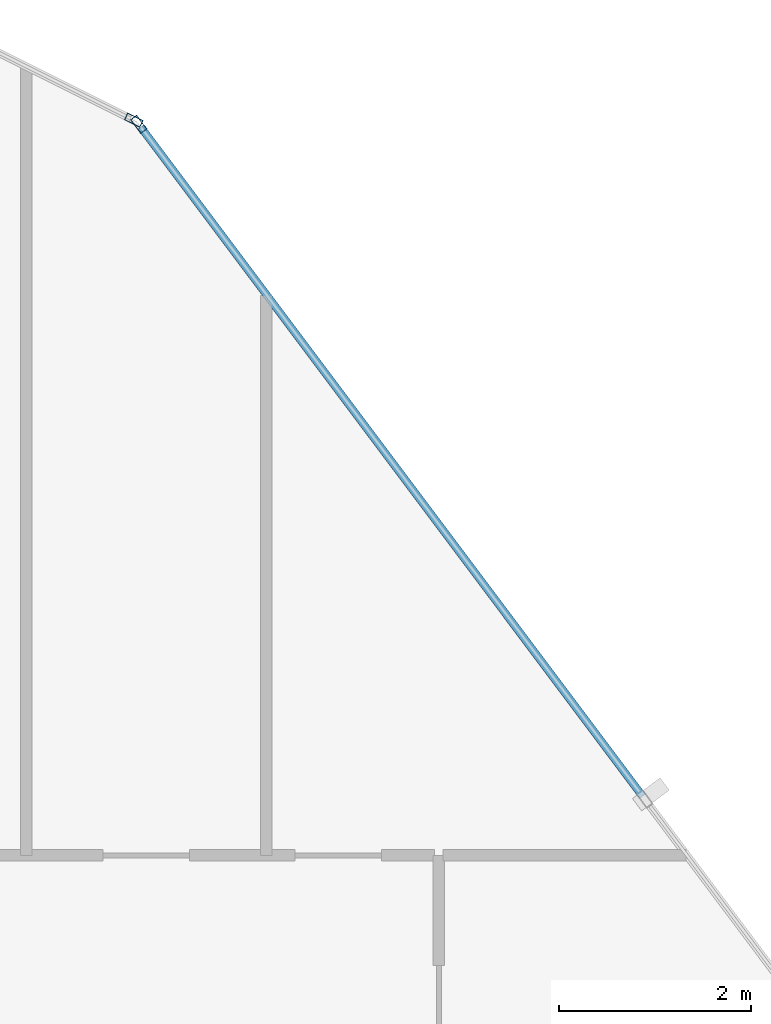
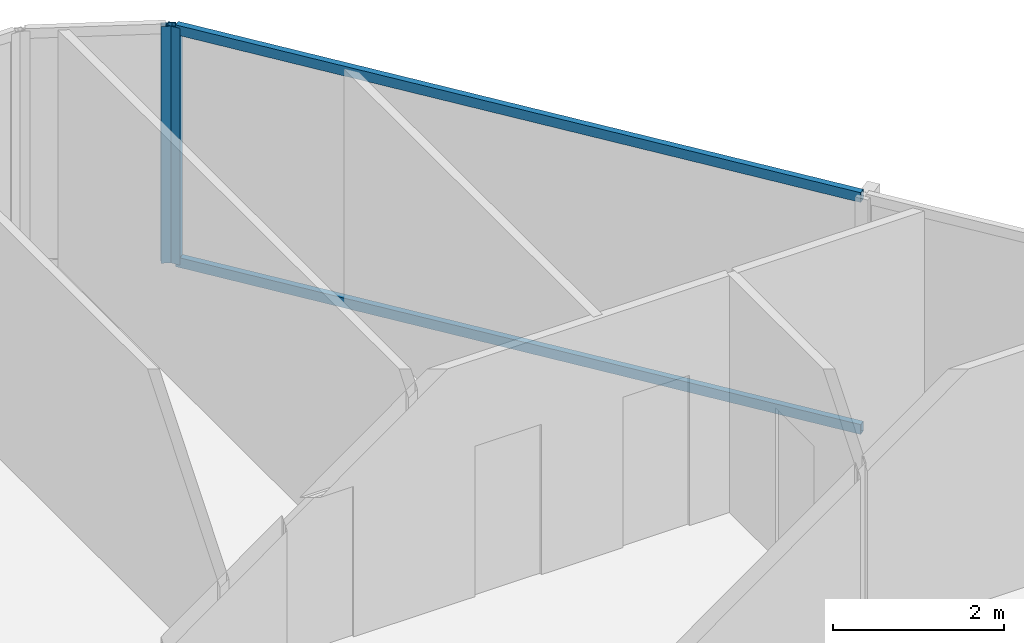
# One storey, part 22 of 31: 4 members, 2 elements without a shape of their own.
"""IFC4 building model written with IfcOpenShell, lengths in metres."""

from ifc_helpers import new_model, si_unit, direction, frame, origin, origin_2d, place, context, subcontext, project, spatial, hollow_rectangle, extrude, material, layer, layer_set, material_profile, profile_set, type_object, element, aggregate, save


model = new_model("IFC4")

# Units and contexts
model_context = context("Model", 3, precision=1e-05, world=origin(), true_north=direction((0.0, 1.0)))
body_context = subcontext(model_context, "Body", "Model", "MODEL_VIEW")
ifc_project = project(units=[si_unit("LENGTHUNIT", "METRE"), si_unit("AREAUNIT", "SQUARE_METRE"), si_unit("VOLUMEUNIT", "CUBIC_METRE"), si_unit("PLANEANGLEUNIT", "RADIAN"), si_unit("MASSUNIT", "GRAM", prefix="KILO")], contexts=[model_context])

# Site, building, storey
site_placement = place(None, origin())
site = spatial("IfcSite", under=ifc_project, at=site_placement, CompositionType="ELEMENT")
building_placement = place(site_placement, origin())
building = spatial("IfcBuilding", under=site, at=building_placement, Name="Keshet Zoharim Tower", CompositionType="ELEMENT")
storey_placement = place(building_placement, frame((0.0, 0.0, 148.300048828125)))
storey = spatial("IfcBuildingStorey", under=building, at=storey_placement, Name="L36", CompositionType="ELEMENT", Elevation=148.300048828125)

# Curtain wall, member
ifc_material = material(Name="Aluminium 6063-T6", Category="aluminium")
ifc_layer = layer(ifc_material, 0.159912109375)
ifc_layer_set = layer_set([ifc_layer], Name="Aluminium 6063-T6")
curtain_wall_type = type_object("IfcCurtainWallType", Name="CW-SYS-03", PredefinedType="NOTDEFINED", material=ifc_layer_set)
curtain_wall_1_placement = place(storey_placement, origin())
curtain_wall_1 = element("IfcCurtainWall", 1, at=curtain_wall_1_placement, inside=storey, type_object=curtain_wall_type, Name="L36 Unitised Curtain Wall 14", PredefinedType="NOTDEFINED")
ifc_material_profile_1 = material_profile(ifc_material, hollow_rectangle(XDim=0.080078125, YDim=0.179931640625, WallThickness=0.00439453125, at=origin_2d()), Name="MUL-80x180")
ifc_profile_set_1 = profile_set([ifc_material_profile_1], Name="Aluminium 6063-T6")
member_type_1 = type_object("IfcMemberType", Name="CWM-M18", PredefinedType="MULLION", material=ifc_profile_set_1)
member_1_placement = place(storey_placement, frame((51.568603515625, 53.11572265625, 0.0), z_axis=(0.0, 0.0, 1.0), x_axis=(0.447213595499, 0.894427191001, 0.0)))
member_1 = element("IfcMember", 2, at=member_1_placement, type_object=member_type_1, Name="CW-03 mullion 2", PredefinedType="MULLION", context=body_context, shape_type="SweptSolid", body=[
    extrude(hollow_rectangle(XDim=0.080078125, YDim=0.179931640625, WallThickness=0.00439453125, at=origin_2d()), origin(), (0.0, 0.0, 1.0), 3.385009765625),
])
aggregate(curtain_wall_1, [member_1])

# Curtain wall, members
curtain_wall_2_placement = place(storey_placement, origin())
curtain_wall_2 = element("IfcCurtainWall", 3, at=curtain_wall_2_placement, inside=storey, type_object=curtain_wall_type, Name="L36 Unitised Curtain Wall 15", PredefinedType="NOTDEFINED")
member_2_placement = place(storey_placement, frame((51.62109375, 53.072021484375, 0.0), z_axis=(0.0, 0.0, 1.0), x_axis=(0.799999999998, 0.600000000002, 0.0)))
member_2 = element("IfcMember", 4, at=member_2_placement, type_object=member_type_1, Name="CW-03 mullion 1", PredefinedType="MULLION", context=body_context, shape_type="SweptSolid", body=[
    extrude(hollow_rectangle(XDim=0.080078125, YDim=0.179931640625, WallThickness=0.00439453125, at=origin_2d()), origin(), (0.0, 0.0, 1.0), 3.385009765625),
])
ifc_material_profile_2 = material_profile(ifc_material, hollow_rectangle(XDim=0.080078125, YDim=0.139892578125, WallThickness=0.00390625, at=origin_2d()), Name="TRN-80x140")
ifc_profile_set_2 = profile_set([ifc_material_profile_2], Name="Aluminium 6063-T6")
member_type_2 = type_object("IfcMemberType", Name="CWT-T14", PredefinedType="USERDEFINED", material=ifc_profile_set_2)
member_3_placement = place(storey_placement, frame((51.64208984375, 53.0439453125, 0.034912109375), z_axis=(0.599991043201, -0.800006717521, 0.0), x_axis=(0.800006717521, 0.599991043201, 0.0)))
member_3 = element("IfcMember", 5, at=member_3_placement, type_object=member_type_2, Name="CW-03 transom 1.1", ObjectType="TRANSOM", PredefinedType="USERDEFINED", context=body_context, shape_type="SweptSolid", body=[
    extrude(hollow_rectangle(XDim=0.080078125, YDim=0.139892578125, WallThickness=0.00390625, at=origin_2d()), origin(), (0.0, 0.0, 1.0), 8.722412109375),
])
member_4_placement = place(storey_placement, frame((51.64208984375, 53.0439453125, 3.349853515625), z_axis=(0.599991043201, -0.800006717521, 0.0), x_axis=(0.800006717521, 0.599991043201, 0.0)))
member_4 = element("IfcMember", 6, at=member_4_placement, type_object=member_type_2, Name="CW-03 transom 1.2", ObjectType="TRANSOM", PredefinedType="USERDEFINED", context=body_context, shape_type="SweptSolid", body=[
    extrude(hollow_rectangle(XDim=0.080078125, YDim=0.139892578125, WallThickness=0.00390625, at=origin_2d()), origin(), (0.0, 0.0, 1.0), 8.722412109375),
])
aggregate(curtain_wall_2, [member_2, member_3, member_4])

save(model, "model.ifc")
